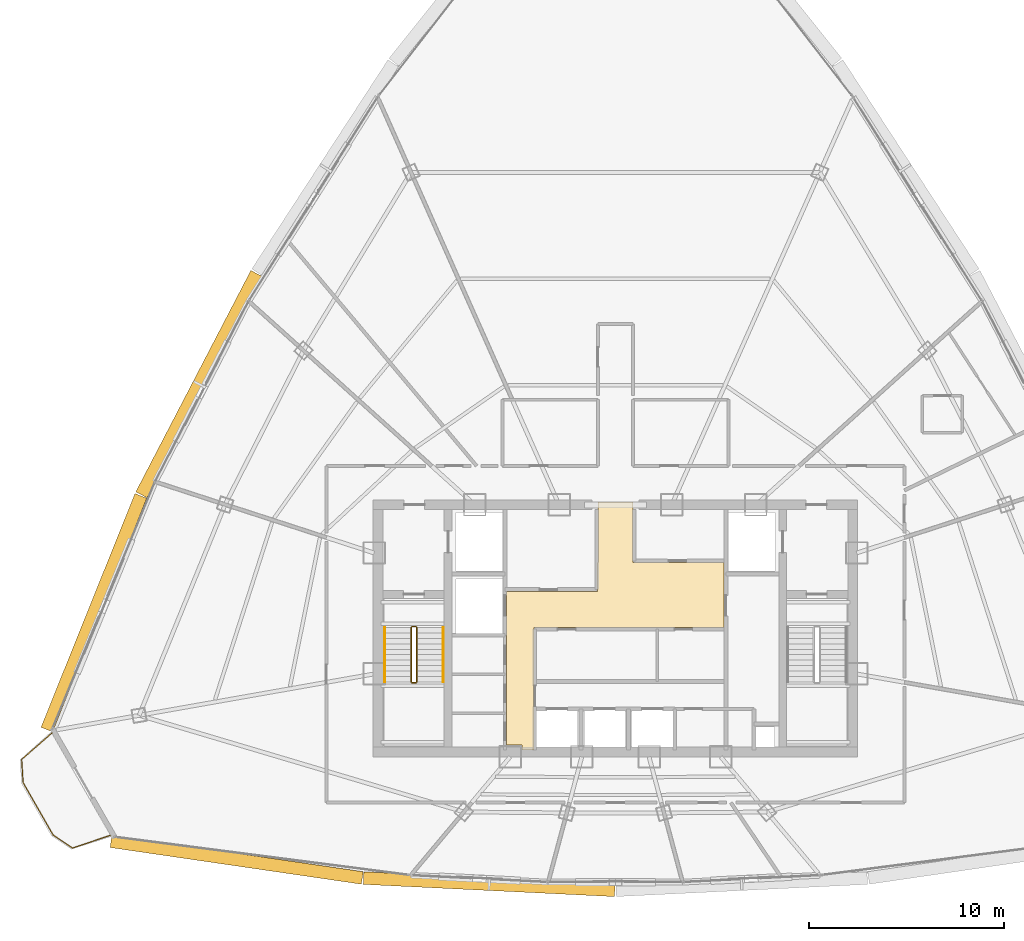
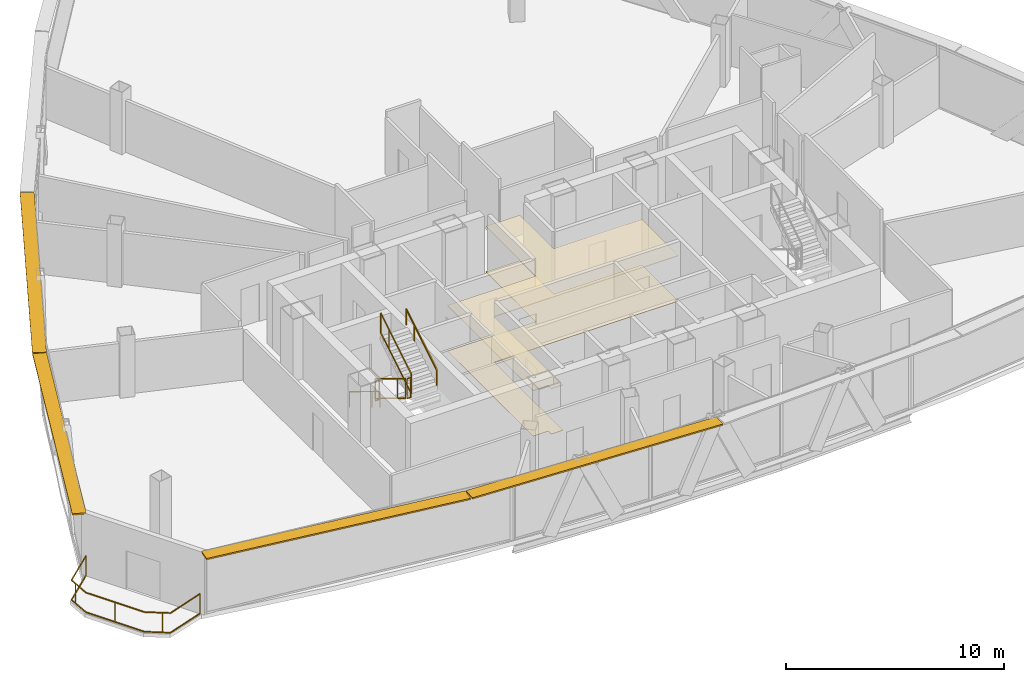
# One storey, part 31 of 33: 7 railings, 4 shading devices, 2 coverings.
"""IFC4 building model written with IfcOpenShell, lengths in metres."""

from ifc_helpers import new_model, si_unit, direction, frame, origin, origin_2d, place, context, subcontext, project, spatial, polyline, rectangle, outline, extrude, source, transform, mapped, material, layer, layer_set, type_object, element, save


model = new_model("IFC4")

# Units and contexts
model_context = context("Model", 3, precision=1e-05, world=origin(), true_north=direction((0.0, 1.0)))
body_context = subcontext(model_context, "Body", "Model", "MODEL_VIEW")
ifc_project = project(units=[si_unit("LENGTHUNIT", "METRE"), si_unit("AREAUNIT", "SQUARE_METRE"), si_unit("VOLUMEUNIT", "CUBIC_METRE"), si_unit("PLANEANGLEUNIT", "RADIAN"), si_unit("MASSUNIT", "GRAM", prefix="KILO"), si_unit("THERMODYNAMICTEMPERATUREUNIT", "KELVIN"), si_unit("POWERUNIT", "WATT")], contexts=[model_context])

# Site, building, storey
site_placement = place(None, origin())
site = spatial("IfcSite", under=ifc_project, at=site_placement, CompositionType="ELEMENT")
building_placement = place(site_placement, origin())
building = spatial("IfcBuilding", under=site, at=building_placement, Name="Yunzhuo Pagoda Commons", CompositionType="ELEMENT")
storey_placement = place(building_placement, frame((0.0, 0.0, 325.510009765625)))
storey = spatial("IfcBuildingStorey", under=building, at=storey_placement, Name="L81", CompositionType="ELEMENT", Elevation=325.510009765625)

# Coverings
ifc_material_1 = material(Name="Micro-perforated metal baffle ceiling")
ifc_layer_1 = layer(ifc_material_1, 0.034912109375)
ifc_layer_set_1 = layer_set([ifc_layer_1], Name="Micro-perforated metal baffle ceiling")
covering_type_1 = type_object("IfcCoveringType", Name="COV-CL3 Ceiling 35", PredefinedType="CEILING", material=ifc_layer_set_1)
covering_1_placement = place(storey_placement, frame((0.0, 0.0, 2.5400390625)))
element("IfcCovering", 1, at=covering_1_placement, inside=storey, type_object=covering_type_1, Name="L81 lift lobby acoustic ceiling", PredefinedType="CEILING", context=body_context, shape_type="SweptSolid", body=[
    extrude(outline(polyline([(42.39990234375, 35.75), (47.080078125, 35.75), (47.080078125, 37.25), (47.10009765625, 37.25), (47.10009765625, 40.35009765625), (48.89990234375, 40.35009765625), (48.89990234375, 37.25), (53.580078125, 37.25), (53.580078125, 33.89990234375), (43.820068359375, 33.89990234375), (43.820068359375, 27.60009765625), (43.207763671875, 27.60009765625), (43.207763671875, 27.85009765625), (43.201904296875, 27.864013671875), (43.187744140625, 27.8701171875), (42.39990234375, 27.8701171875), (42.39990234375, 33.89990234375), (42.39990234375, 35.75)])), origin(), (0.0, 0.0, 1.0), 0.034912109375),
])
ifc_material_2 = material(Name="Resilient acoustic studio flooring")
ifc_layer_2 = layer(ifc_material_2, 0.01806640625)
ifc_layer_set_2 = layer_set([ifc_layer_2], Name="Resilient acoustic studio flooring")
covering_type_2 = type_object("IfcCoveringType", Name="COV-FL3 Flooring 18", PredefinedType="FLOORING", material=ifc_layer_set_2)
covering_2_placement = place(storey_placement, origin())
element("IfcCovering", 2, at=covering_2_placement, inside=storey, type_object=covering_type_2, Name="L81 lift lobby flooring", PredefinedType="FLOORING", context=body_context, shape_type="SweptSolid", body=[
    extrude(outline(polyline([(42.39990234375, 35.75), (47.080078125, 35.75), (47.080078125, 37.25), (47.10009765625, 37.25), (47.10009765625, 40.35009765625), (48.89990234375, 40.35009765625), (48.89990234375, 37.25), (53.580078125, 37.25), (53.580078125, 33.89990234375), (43.820068359375, 33.89990234375), (43.820068359375, 27.60009765625), (43.207763671875, 27.60009765625), (43.207763671875, 27.85009765625), (43.201904296875, 27.864013671875), (43.187744140625, 27.8701171875), (42.39990234375, 27.8701171875), (42.39990234375, 33.89990234375), (42.39990234375, 35.75)])), origin(), (0.0, 0.0, 1.0), 0.01806640625),
])

# Railings
ifc_material_3 = material(Name="Anodized aluminium 6063-T6", Category="aluminium")
railing_type_1 = type_object("IfcRailingType", Name="GR-ST1 Stair Well Guardrail 1150", PredefinedType="GUARDRAIL", material=ifc_material_3)
railing_1_placement = place(storey_placement, frame((37.5, 33.89990234375, 0.17041015625)))
element("IfcRailing", 3, at=railing_1_placement, inside=storey, type_object=railing_type_1, Name="L81 ST1 stair guard 1", PredefinedType="GUARDRAIL", context=body_context, shape_type="SweptSolid", body=[
    extrude(rectangle(XDim=0.048095703125, YDim=0.048095703125, at=origin_2d()), frame((0.0, 0.0, 1.1259765625), z_axis=(0.0, -0.854149651119, 0.520027281489), x_axis=(1.0, 0.0, 0.0)), (0.0, 0.0, 1.0), 3.27783203125),
    extrude(rectangle(XDim=0.048095703125, YDim=0.048095703125, at=origin_2d()), frame((0.0, 0.0, 0.02392578125), z_axis=(0.0, -0.854149651119, 0.520027281489), x_axis=(1.0, 0.0, 0.0)), (0.0, 0.0, 1.0), 3.27783203125),
    extrude(rectangle(XDim=0.0419921875, YDim=0.0419921875, at=origin_2d()), origin(), (0.0, 0.0, 1.0), 1.101806640625),
    extrude(rectangle(XDim=0.0419921875, YDim=0.0419921875, at=origin_2d()), frame((0.0, -2.050048828125, 1.248046875)), (0.0, 0.0, 1.0), 1.101806640625),
    extrude(rectangle(XDim=0.0419921875, YDim=0.0419921875, at=origin_2d()), frame((0.0, -2.7998046875, 1.70458984375)), (0.0, 0.0, 1.0), 1.101806640625),
])
railing_2_placement = place(storey_placement, frame((37.550048828125, 31.050048828125, 1.875)))
element("IfcRailing", 4, at=railing_2_placement, inside=storey, type_object=railing_type_1, Name="L81 ST1 stair guard 2", PredefinedType="GUARDRAIL", context=body_context, shape_type="SweptSolid", body=[
    extrude(rectangle(XDim=0.048095703125, YDim=0.048095703125, at=origin_2d()), frame((0.0, 0.0, 1.1259765625), z_axis=(1.0, 0.0, 0.0), x_axis=(0.0, 1.0, 0.0)), (0.0, 0.0, 1.0), 0.199951171875),
    extrude(rectangle(XDim=0.048095703125, YDim=0.048095703125, at=origin_2d()), frame((0.0, 0.0, 0.02392578125), z_axis=(1.0, 0.0, 0.0), x_axis=(0.0, 1.0, 0.0)), (0.0, 0.0, 1.0), 0.199951171875),
    extrude(rectangle(XDim=0.0419921875, YDim=0.0419921875, at=origin_2d()), origin(), (0.0, 0.0, 1.0), 1.101806640625),
    extrude(rectangle(XDim=0.0419921875, YDim=0.0419921875, at=origin_2d()), frame((0.199951171875, 0.0, 0.0)), (0.0, 0.0, 1.0), 1.101806640625),
])
railing_3_placement = place(storey_placement, frame((37.800048828125, 31.10009765625, 2.04541015625)))
element("IfcRailing", 5, at=railing_3_placement, inside=storey, type_object=railing_type_1, Name="L81 ST1 stair guard 3", PredefinedType="GUARDRAIL", context=body_context, shape_type="SweptSolid", body=[
    extrude(rectangle(XDim=0.048095703125, YDim=0.048095703125, at=origin_2d()), frame((0.0, 0.0, 1.1259765625), z_axis=(0.0, 0.854149651119, 0.520027281489), x_axis=(-1.0, 0.0, 0.0)), (0.0, 0.0, 1.0), 3.27783203125),
    extrude(rectangle(XDim=0.048095703125, YDim=0.048095703125, at=origin_2d()), frame((0.0, 0.0, 0.02392578125), z_axis=(0.0, 0.854149651119, 0.520027281489), x_axis=(-1.0, 0.0, 0.0)), (0.0, 0.0, 1.0), 3.27783203125),
    extrude(rectangle(XDim=0.0419921875, YDim=0.0419921875, at=origin_2d()), origin(), (0.0, 0.0, 1.0), 1.101806640625),
    extrude(rectangle(XDim=0.0419921875, YDim=0.0419921875, at=origin_2d()), frame((0.0, 2.050048828125, 1.248046875)), (0.0, 0.0, 1.0), 1.101806640625),
    extrude(rectangle(XDim=0.0419921875, YDim=0.0419921875, at=origin_2d()), frame((0.0, 2.7998046875, 1.70458984375)), (0.0, 0.0, 1.0), 1.101806640625),
])
railing_4_placement = place(storey_placement, frame((37.550048828125, 33.949951171875, 0.0)))
element("IfcRailing", 6, at=railing_4_placement, inside=storey, type_object=railing_type_1, Name="L81 ST1 stair guard 4", PredefinedType="GUARDRAIL", context=body_context, shape_type="SweptSolid", body=[
    extrude(rectangle(XDim=0.048095703125, YDim=0.048095703125, at=origin_2d()), frame((0.0, 0.0, 1.1259765625), z_axis=(1.0, 0.0, 0.0), x_axis=(0.0, 1.0, 0.0)), (0.0, 0.0, 1.0), 0.199951171875),
    extrude(rectangle(XDim=0.048095703125, YDim=0.048095703125, at=origin_2d()), frame((0.0, 0.0, 0.02392578125), z_axis=(1.0, 0.0, 0.0), x_axis=(0.0, 1.0, 0.0)), (0.0, 0.0, 1.0), 0.199951171875),
    extrude(rectangle(XDim=0.0419921875, YDim=0.0419921875, at=origin_2d()), origin(), (0.0, 0.0, 1.0), 1.101806640625),
    extrude(rectangle(XDim=0.0419921875, YDim=0.0419921875, at=origin_2d()), frame((0.199951171875, 0.0, 0.0)), (0.0, 0.0, 1.0), 1.101806640625),
])
railing_type_2 = type_object("IfcRailingType", Name="HR-ST1 Stair Handrail 900", PredefinedType="HANDRAIL", material=ifc_material_3)
railing_5_placement = place(storey_placement, frame((36.14990234375, 33.89990234375, 0.17041015625)))
element("IfcRailing", 7, at=railing_5_placement, inside=storey, type_object=railing_type_2, Name="L81 ST1 stair handrail 1", PredefinedType="HANDRAIL", context=body_context, shape_type="SweptSolid", body=[
    extrude(rectangle(XDim=0.048095703125, YDim=0.048095703125, at=origin_2d()), frame((0.0, 0.0, 0.8759765625), z_axis=(0.0, -0.854149651119, 0.520027281489), x_axis=(1.0, 0.0, 0.0)), (0.0, 0.0, 1.0), 3.27783203125),
    extrude(rectangle(XDim=0.0419921875, YDim=0.0419921875, at=origin_2d()), origin(), (0.0, 0.0, 1.0), 0.851806640625),
    extrude(rectangle(XDim=0.0419921875, YDim=0.0419921875, at=origin_2d()), frame((0.0, -2.050048828125, 1.248046875)), (0.0, 0.0, 1.0), 0.851806640625),
    extrude(rectangle(XDim=0.0419921875, YDim=0.0419921875, at=origin_2d()), frame((0.0, -2.7998046875, 1.70458984375)), (0.0, 0.0, 1.0), 0.851806640625),
])
railing_6_placement = place(storey_placement, frame((39.14990234375, 31.10009765625, 2.04541015625)))
element("IfcRailing", 8, at=railing_6_placement, inside=storey, type_object=railing_type_2, Name="L81 ST1 stair handrail 2", PredefinedType="HANDRAIL", context=body_context, shape_type="SweptSolid", body=[
    extrude(rectangle(XDim=0.048095703125, YDim=0.048095703125, at=origin_2d()), frame((0.0, 0.0, 0.8759765625), z_axis=(0.0, 0.854149651119, 0.520027281489), x_axis=(-1.0, 0.0, 0.0)), (0.0, 0.0, 1.0), 3.27783203125),
    extrude(rectangle(XDim=0.0419921875, YDim=0.0419921875, at=origin_2d()), origin(), (0.0, 0.0, 1.0), 0.851806640625),
    extrude(rectangle(XDim=0.0419921875, YDim=0.0419921875, at=origin_2d()), frame((0.0, 2.050048828125, 1.248046875)), (0.0, 0.0, 1.0), 0.851806640625),
    extrude(rectangle(XDim=0.0419921875, YDim=0.0419921875, at=origin_2d()), frame((0.0, 2.7998046875, 1.70458984375)), (0.0, 0.0, 1.0), 0.851806640625),
])
railing_type_3 = type_object("IfcRailingType", Name="RL-BAL1 Exterior Terrace & Balcony Balustrade 1150", PredefinedType="BALUSTRADE", material=ifc_material_3)
railing_7_placement = place(storey_placement, frame((19.04638671875, 28.474853515625, 0.0)))
element("IfcRailing", 9, at=railing_7_placement, inside=storey, type_object=railing_type_3, Name="L81 corner balcony balustrade V1", PredefinedType="BALUSTRADE", context=body_context, shape_type="SweptSolid", body=[
    extrude(rectangle(XDim=0.048095703125, YDim=0.048095703125, at=origin_2d()), frame((0.0, 0.0, 1.1259765625), z_axis=(-0.753933830692, -0.656950362614, 0.0), x_axis=(0.656950362614, -0.753933830692, 0.0)), (0.0, 0.0, 1.0), 2.05908203125),
    extrude(rectangle(XDim=0.048095703125, YDim=0.048095703125, at=origin_2d()), frame((0.0, 0.0, 0.02392578125), z_axis=(-0.753933830692, -0.656950362614, 0.0), x_axis=(0.656950362614, -0.753933830692, 0.0)), (0.0, 0.0, 1.0), 2.05908203125),
    extrude(rectangle(XDim=0.048095703125, YDim=0.048095703125, at=origin_2d()), frame((-1.552490234375, -1.352783203125, 1.1259765625), z_axis=(0.062416382628, -0.998050196723, 0.0), x_axis=(0.998050196723, 0.062416382628, 0.0)), (0.0, 0.0, 1.0), 1.197021484375),
    extrude(rectangle(XDim=0.048095703125, YDim=0.048095703125, at=origin_2d()), frame((-1.552490234375, -1.352783203125, 0.02392578125), z_axis=(0.062416382628, -0.998050196723, 0.0), x_axis=(0.998050196723, 0.062416382628, 0.0)), (0.0, 0.0, 1.0), 1.197021484375),
    extrude(rectangle(XDim=0.048095703125, YDim=0.048095703125, at=origin_2d()), frame((-1.477783203125, -2.54736328125, 1.1259765625), z_axis=(0.497966035481, -0.867196533381, 0.0), x_axis=(0.867196533381, 0.497966035481, 0.0)), (0.0, 0.0, 1.0), 3.1064453125),
    extrude(rectangle(XDim=0.048095703125, YDim=0.048095703125, at=origin_2d()), frame((-1.477783203125, -2.54736328125, 0.02392578125), z_axis=(0.497966035481, -0.867196533381, 0.0), x_axis=(0.867196533381, 0.497966035481, 0.0)), (0.0, 0.0, 1.0), 3.1064453125),
    extrude(rectangle(XDim=0.048095703125, YDim=0.048095703125, at=origin_2d()), frame((0.069091796875, -5.2412109375, 1.1259765625), z_axis=(0.830446287952, -0.557098701154, 0.0), x_axis=(0.557098701154, 0.830446287952, 0.0)), (0.0, 0.0, 1.0), 1.19677734375),
    extrude(rectangle(XDim=0.048095703125, YDim=0.048095703125, at=origin_2d()), frame((0.069091796875, -5.2412109375, 0.02392578125), z_axis=(0.830446287952, -0.557098701154, 0.0), x_axis=(0.557098701154, 0.830446287952, 0.0)), (0.0, 0.0, 1.0), 1.19677734375),
    extrude(rectangle(XDim=0.048095703125, YDim=0.048095703125, at=origin_2d()), frame((1.06298828125, -5.907958984375, 1.1259765625), z_axis=(0.947419062147, 0.319995501031, 0.0), x_axis=(-0.319995501031, 0.947419062147, 0.0)), (0.0, 0.0, 1.0), 2.05908203125),
    extrude(rectangle(XDim=0.048095703125, YDim=0.048095703125, at=origin_2d()), frame((1.06298828125, -5.907958984375, 0.02392578125), z_axis=(0.947419062147, 0.319995501031, 0.0), x_axis=(-0.319995501031, 0.947419062147, 0.0)), (0.0, 0.0, 1.0), 2.05908203125),
    extrude(rectangle(XDim=0.0419921875, YDim=0.0419921875, at=origin_2d()), origin(), (0.0, 0.0, 1.0), 1.101806640625),
    extrude(rectangle(XDim=0.0419921875, YDim=0.0419921875, at=origin_2d()), frame((-1.53125, -1.69287109375, 0.0)), (0.0, 0.0, 1.0), 1.101806640625),
    extrude(rectangle(XDim=0.0419921875, YDim=0.0419921875, at=origin_2d()), frame((-0.708984375, -3.88623046875, 0.0)), (0.0, 0.0, 1.0), 1.101806640625),
    extrude(rectangle(XDim=0.0419921875, YDim=0.0419921875, at=origin_2d()), frame((0.7646484375, -5.707763671875, 0.0)), (0.0, 0.0, 1.0), 1.101806640625),
    extrude(rectangle(XDim=0.0419921875, YDim=0.0419921875, at=origin_2d()), frame((3.013916015625, -5.2490234375, 0.0)), (0.0, 0.0, 1.0), 1.101806640625),
])

# Shading devices
ifc_layer_3 = layer(ifc_material_3, 0.080078125)
ifc_layer_set_3 = layer_set([ifc_layer_3], Name="Anodized aluminium 6063-T6")
shading_device_type = type_object("IfcShadingDeviceType", Name="SH-SUN1 Pagoda Horizontal Sunshade Eave 650", PredefinedType="USERDEFINED", material=ifc_layer_set_3)
shared_shape_1 = source(origin(), body_context, "Body", "SweptSolid", [
    extrude(rectangle(XDim=13.047119140625, YDim=0.64990234375, at=origin_2d()), origin(), (0.0, 0.0, 1.0), 0.080078125),
])
shading_device_1_placement = place(storey_placement, frame((28.54052734375, 21.9736328125, 3.409912109375), z_axis=(0.0, 0.0, 1.0), x_axis=(0.989510666697, -0.144459823108, 0.0)))
element("IfcShadingDevice", 10, at=shading_device_1_placement, inside=storey, type_object=shading_device_type, Name="L81 horizontal pagoda sunshade eave F1.1", ObjectType="SUNSHADE", PredefinedType="USERDEFINED", context=body_context, shape_type="MappedRepresentation", body=[
    mapped(shared_shape_1, transform((0.0, 0.0, 0.0), scale=1.0)),
])
shared_shape_2 = source(origin(), body_context, "Body", "SweptSolid", [
    extrude(rectangle(XDim=12.92529296875, YDim=0.64990234375, at=origin_2d()), origin(), (0.0, 0.0, 1.0), 0.080078125),
])
shading_device_2_placement = place(storey_placement, frame((41.513427734375, 20.711181640625, 3.409912109375), z_axis=(0.0, 0.0, 1.0), x_axis=(0.998818043775, -0.04860571396, 0.0)))
element("IfcShadingDevice", 11, at=shading_device_2_placement, inside=storey, type_object=shading_device_type, Name="L81 horizontal pagoda sunshade eave F1.2", ObjectType="SUNSHADE", PredefinedType="USERDEFINED", context=body_context, shape_type="MappedRepresentation", body=[
    mapped(shared_shape_2, transform((0.0, 0.0, 0.0), scale=1.0)),
])
shared_shape_3 = source(origin(), body_context, "Body", "SweptSolid", [
    extrude(rectangle(XDim=12.942138671875, YDim=0.64990234375, at=origin_2d()), origin(), (0.0, 0.0, 1.0), 0.080078125),
])
shading_device_3_placement = place(storey_placement, frame((21.205078125, 34.656494140625, 3.409912109375), z_axis=(0.0, 0.0, 1.0), x_axis=(-0.372987782576, -0.927836253899, 0.0)))
element("IfcShadingDevice", 12, at=shading_device_3_placement, inside=storey, type_object=shading_device_type, Name="L81 horizontal pagoda sunshade eave F3.4", ObjectType="SUNSHADE", PredefinedType="USERDEFINED", context=body_context, shape_type="MappedRepresentation", body=[
    mapped(shared_shape_3, transform((0.0, 0.0, 0.0), scale=1.0)),
])
shared_shape_4 = source(origin(), body_context, "Body", "SweptSolid", [
    extrude(rectangle(XDim=12.8193359375, YDim=0.64990234375, at=origin_2d()), origin(), (0.0, 0.0, 1.0), 0.080078125),
])
shading_device_4_placement = place(storey_placement, frame((26.601318359375, 46.4052734375, 3.409912109375), z_axis=(0.0, 0.0, 1.0), x_axis=(-0.461206683033, -0.88729273384, 0.0)))
element("IfcShadingDevice", 13, at=shading_device_4_placement, inside=storey, type_object=shading_device_type, Name="L81 horizontal pagoda sunshade eave F3.3", ObjectType="SUNSHADE", PredefinedType="USERDEFINED", context=body_context, shape_type="MappedRepresentation", body=[
    mapped(shared_shape_4, transform((0.0, 0.0, 0.0), scale=1.0)),
])

save(model, "model.ifc")
